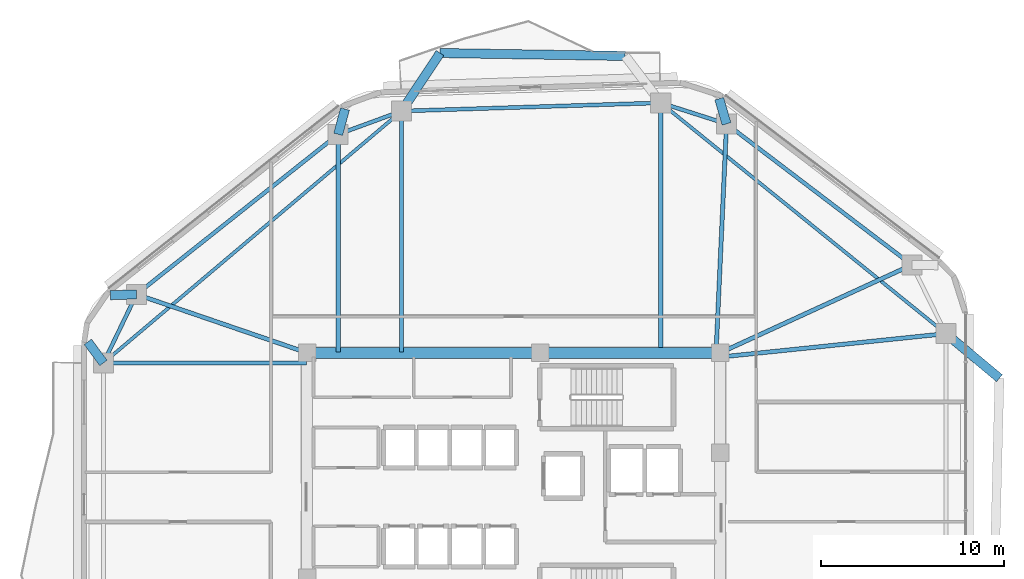
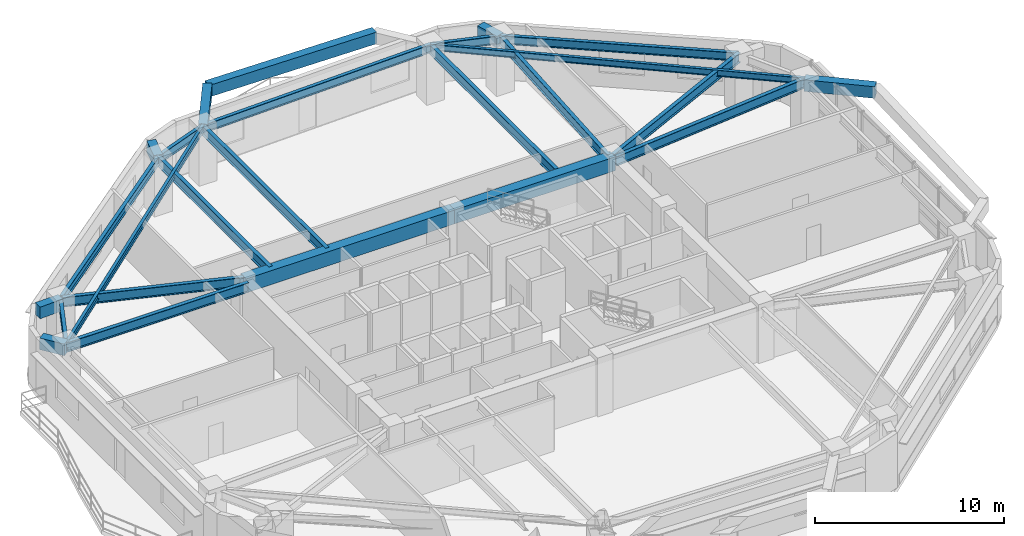
# One storey, part 5 of 13: 25 beams.
"""IFC4 building model written with IfcOpenShell, lengths in metres."""

import ifcopenshell
import ifcopenshell.guid

model = None  # the IFC model being written
_history = None  # IfcOwnerHistory: only IFC2X3 demands one
_inside = {}  # id of a spatial element -> (the spatial element, [elements in it])
_under = {}  # id of a project, library or spatial element -> (it, [spatial elements below it])
_declared = {}  # id of a project -> (the project, [libraries it declares])
_typed = {}  # id of a type object -> (the type object, [elements of that type])
_made_of = {}  # id of a material, layer set ... -> (it, [elements and type objects made of it])


def new_model(schema):
    """Start an empty IFC model of exactly this schema.

    Asked for "IFC4X3", IfcOpenShell would pick the latest addendum, in which some entities
    have other attributes; the version numbers below select the first issue.
    IFC2X3 requires an IfcOwnerHistory on every rooted entity: one is made here for all.
    """
    global model, _history
    if schema == "IFC4X3":
        model = ifcopenshell.file(schema_version=(4, 3, 0, 0))
    else:
        model = ifcopenshell.file(schema=schema)
    _inside.clear()
    _under.clear()
    _declared.clear()
    _typed.clear()
    _made_of.clear()
    _history = None
    if model.schema == "IFC2X3":
        org = make("IfcOrganization", Name="unknown")
        user = make(
            "IfcPersonAndOrganization",
            ThePerson=make("IfcPerson", FamilyName="unknown"),
            TheOrganization=org,
        )
        app = make(
            "IfcApplication",
            ApplicationDeveloper=org,
            Version="unknown",
            ApplicationFullName="unknown",
            ApplicationIdentifier="unknown",
        )
        _history = make(
            "IfcOwnerHistory",
            OwningUser=user,
            OwningApplication=app,
            ChangeAction="ADDED",
            CreationDate=0,
        )
    return model


def make(cls, **values):
    """One entity of the class cls with the attributes given. An attribute that is None is left unset."""
    return model.create_entity(
        cls, **{name: value for name, value in values.items() if value is not None}
    )


def rooted(cls, **values):
    """An entity with a GlobalId (a new one), such as an element, a storey or a relation."""
    return make(cls, GlobalId=ifcopenshell.guid.new(), OwnerHistory=_history, **values)


def si_unit(unit_type, name, prefix=None):
    """IfcSIUnit, for example si_unit("LENGTHUNIT", "METRE", prefix="MILLI")."""
    return make("IfcSIUnit", UnitType=unit_type, Prefix=prefix, Name=name)


def assignment(units):
    """IfcUnitAssignment: the units of a project."""
    return None if units is None else make("IfcUnitAssignment", Units=units)


def point(xyz):
    """IfcCartesianPoint."""
    return None if xyz is None else make("IfcCartesianPoint", Coordinates=xyz)


def direction(xyz):
    """IfcDirection."""
    return None if xyz is None else make("IfcDirection", DirectionRatios=xyz)


def frame(location, z_axis=None, x_axis=None):
    """IfcAxis2Placement3D, a coordinate frame: its origin and axes. An axis left out is left unset."""
    return make(
        "IfcAxis2Placement3D",
        Location=point(location),
        Axis=direction(z_axis),
        RefDirection=direction(x_axis),
    )


def frame_2d(location, x_axis=None):
    """IfcAxis2Placement2D, a coordinate frame in the plane: its origin and x axis."""
    return make(
        "IfcAxis2Placement2D", Location=point(location), RefDirection=direction(x_axis)
    )


def origin():
    """The frame at (0, 0, 0) with its axes left unset."""
    return frame((0.0, 0.0, 0.0))


def origin_2d():
    """The frame at (0, 0) in the plane with its x axis left unset."""
    return frame_2d((0.0, 0.0))


def place(relative_to, where):
    """IfcLocalPlacement: puts the frame where relative to a parent placement (None: the world)."""
    return make(
        "IfcLocalPlacement", PlacementRelTo=relative_to, RelativePlacement=where
    )


def context(
    kind, dimensions, precision=None, world=None, true_north=None, identifier=None
):
    """IfcGeometricRepresentationContext, for example the 3D "Model" context."""
    return make(
        "IfcGeometricRepresentationContext",
        ContextIdentifier=identifier,
        ContextType=kind,
        CoordinateSpaceDimension=dimensions,
        Precision=precision,
        WorldCoordinateSystem=world,
        TrueNorth=true_north,
    )


def subcontext(parent, identifier, kind, view, scale=None):
    """IfcGeometricRepresentationSubContext, for example "Body" below "Model"."""
    return make(
        "IfcGeometricRepresentationSubContext",
        ContextIdentifier=identifier,
        ContextType=kind,
        ParentContext=parent,
        TargetScale=scale,
        TargetView=view,
    )


def project(units=None, contexts=None):
    """IfcProject with its units and contexts."""
    return rooted(
        "IfcProject",
        Name="project",
        RepresentationContexts=contexts,
        UnitsInContext=assignment(units),
    )


def spatial(cls, under=None, at=None, **own):
    """A site, building, storey or space (cls), placed at a placement, below another one or the project."""
    s = rooted(cls, ObjectPlacement=at, **own)
    if under is not None:
        _under.setdefault(under.id(), (under, []))[1].append(s)
    return s


def profile(cls, at=None, kind="AREA", **sizes):
    """A parametric profile (cls). Its sizes go by their IFC names, for example OverallWidth=200.0."""
    return make(cls, ProfileType=kind, Position=at, **sizes)


def rectangle(**sizes):
    """IfcRectangleProfileDef."""
    return profile("IfcRectangleProfileDef", **sizes)


def i_section(**sizes):
    """IfcIShapeProfileDef."""
    return profile("IfcIShapeProfileDef", **sizes)


def extrude(swept, where, along, depth):
    """IfcExtrudedAreaSolid: the profile swept, set in the frame where, extruded along a direction by depth."""
    return make(
        "IfcExtrudedAreaSolid",
        SweptArea=swept,
        Position=where,
        ExtrudedDirection=direction(along),
        Depth=depth,
    )


def shape(context_of_items, identifier, shape_type, items):
    """IfcShapeRepresentation: the items that make up one representation, for example the "Body"."""
    return make(
        "IfcShapeRepresentation",
        ContextOfItems=context_of_items,
        RepresentationIdentifier=identifier,
        RepresentationType=shape_type,
        Items=items,
    )


def material(Name=None, Category=None):
    """IfcMaterial."""
    return make("IfcMaterial", Name=Name, Category=Category)


def material_profile(
    of_material, cross_section, Name=None, Category=None, Priority=None
):
    """IfcMaterialProfile: a cross section and its material."""
    return make(
        "IfcMaterialProfile",
        Name=Name,
        Material=of_material,
        Profile=cross_section,
        Priority=Priority,
        Category=Category,
    )


def profile_set(profiles, Name=None, composite=None):
    """IfcMaterialProfileSet."""
    return make(
        "IfcMaterialProfileSet",
        Name=Name,
        MaterialProfiles=profiles,
        CompositeProfile=composite,
    )


def made_of(thing, what):
    """Note that an element or type object is made of a material, layer set ...; save() writes the relation."""
    if what is not None:
        _made_of.setdefault(what.id(), (what, []))[1].append(thing)
    return thing


def type_object(cls, material=None, **own):
    """A type object (cls), such as IfcWallType, which elements share."""
    return made_of(rooted(cls, **own), material)


def element(
    cls,
    number,
    at=None,
    inside=None,
    cuts=None,
    type_object=None,
    material=None,
    context=None,
    identifier="Body",
    shape_type=None,
    held_by="IfcProductDefinitionShape",
    body=None,
    shapes=None,
    **own,
):
    """One element of the class cls, such as IfcWall. Its Tag is "e" and its number.

    at: its placement. inside: the storey or other place that contains it. cuts: it is an
    opening in that element (IfcRelVoidsElement). A single representation is given by context,
    identifier, shape_type and body (its items); several are given by shapes. held_by: the class
    of the entity that holds the representations. save() writes the other relations.
    """
    e = rooted(cls, Tag="e%d" % number, ObjectPlacement=at, **own)
    if body is not None:
        shapes = [shape(context, identifier, shape_type, body)]
    if shapes is not None:
        e.Representation = make(held_by, Representations=shapes)
    if inside is not None:
        _inside.setdefault(inside.id(), (inside, []))[1].append(e)
    if cuts is not None:
        rooted(
            "IfcRelVoidsElement", RelatingBuildingElement=cuts, RelatedOpeningElement=e
        )
    if type_object is not None:
        _typed.setdefault(type_object.id(), (type_object, []))[1].append(e)
    return made_of(e, material)


def aggregate(whole, parts):
    """IfcRelAggregates: a whole, such as a stair, and the parts it consists of."""
    return rooted("IfcRelAggregates", RelatingObject=whole, RelatedObjects=parts)


def save(model, path):
    """Write the relations noted so far, then the file.

    IfcRelAggregates (storeys below a building ...), IfcRelContainedInSpatialStructure (elements
    in a storey), IfcRelDefinesByType, IfcRelAssociatesMaterial and IfcRelDeclares: one each for
    every whole, place, type object, material and project.
    """
    for whole, parts in _under.values():
        aggregate(whole, parts)
    for where, things in _inside.values():
        rooted(
            "IfcRelContainedInSpatialStructure",
            RelatedElements=things,
            RelatingStructure=where,
        )
    for kind, things in _typed.values():
        rooted("IfcRelDefinesByType", RelatedObjects=things, RelatingType=kind)
    for what, things in _made_of.values():
        rooted("IfcRelAssociatesMaterial", RelatedObjects=things, RelatingMaterial=what)
    for by, libraries in _declared.values():
        rooted("IfcRelDeclares", RelatingContext=by, RelatedDefinitions=libraries)
    model.write(path)


model = new_model("IFC4")

# Units and contexts
model_context = context("Model", 3, precision=1e-05, world=origin(), true_north=direction((0.0, 1.0)))
body_context = subcontext(model_context, "Body", "Model", "MODEL_VIEW")
ifc_project = project(units=[si_unit("LENGTHUNIT", "METRE"), si_unit("AREAUNIT", "SQUARE_METRE"), si_unit("VOLUMEUNIT", "CUBIC_METRE"), si_unit("PLANEANGLEUNIT", "RADIAN"), si_unit("MASSUNIT", "GRAM", prefix="KILO")], contexts=[model_context])

# Site, building, storey
site_placement = place(None, origin())
site = spatial("IfcSite", under=ifc_project, at=site_placement, CompositionType="ELEMENT")
building_placement = place(site_placement, origin())
building = spatial("IfcBuilding", under=site, at=building_placement, Name="Zulverin Broadcast Headquarters", CompositionType="ELEMENT")
storey_placement = place(building_placement, frame((0.0, 0.0, 155.39990234375)))
storey = spatial("IfcBuildingStorey", under=building, at=storey_placement, Name="L39", CompositionType="ELEMENT", Elevation=155.39990234375)

# Beams
ifc_material_1 = material(Name="Concrete C60/75", Category="concrete")
ifc_material_profile_1 = material_profile(ifc_material_1, rectangle(XDim=0.60009765625, YDim=0.89990234375, at=origin_2d()), Name="Concrete C60/75", Category="concrete")
ifc_profile_set_1 = profile_set([ifc_material_profile_1], Name="Concrete C60/75")
beam_type_1 = type_object("IfcBeamType", Name="BM-CB-600x900", PredefinedType="LINTEL", material=ifc_profile_set_1)
beam_1_placement = place(storey_placement, frame((48.27490234375, 33.074951171875, 3.090087890625), z_axis=(-1.0, 0.0, 0.0), x_axis=(0.0, -1.0, 0.0)))
element("IfcBeam", 1, at=beam_1_placement, inside=storey, type_object=beam_type_1, Name="L39 Core Coupling Girder K05-K06", PredefinedType="LINTEL", context=body_context, shape_type="SweptSolid", body=[
    extrude(rectangle(XDim=0.60009765625, YDim=0.89990234375, at=origin_2d()), origin(), (0.0, 0.0, 1.0), 9.824951171875),
])
beam_2_placement = place(storey_placement, frame((38.449951171875, 33.074951171875, 3.090087890625), z_axis=(-1.0, 0.0, 0.0), x_axis=(0.0, -1.0, 0.0)))
element("IfcBeam", 2, at=beam_2_placement, inside=storey, type_object=beam_type_1, Name="L39 Core Coupling Girder K06-K07", PredefinedType="LINTEL", context=body_context, shape_type="SweptSolid", body=[
    extrude(rectangle(XDim=0.60009765625, YDim=0.89990234375, at=origin_2d()), origin(), (0.0, 0.0, 1.0), 12.724853515625),
])
ifc_material_2 = material(Name="Concrete C40/50", Category="concrete")
ifc_material_profile_2 = material_profile(ifc_material_2, rectangle(XDim=0.5, YDim=0.75, at=origin_2d()), Name="Concrete C40/50", Category="concrete")
ifc_profile_set_2 = profile_set([ifc_material_profile_2], Name="Concrete C40/50")
beam_type_2 = type_object("IfcBeamType", Name="BM-RC-500x750", PredefinedType="BEAM", material=ifc_profile_set_2)
for number, where, z_axis, x_axis, name in (
    (3, (48.62158203125, 45.574951171875, 3.1650390625), (-0.28015077605, 0.959956010804, 0.0), (-0.959956010804, -0.28015077605, 0.0), "L40 Plate Overhang Back-Spanned Beam OVR-08"),
    (4, (27.416259765625, 45.00439453125, 3.1650390625), (0.260328526912, 0.965520097189, 0.0), (-0.965520097189, 0.260328526912, 0.0), "L40 Plate Overhang Back-Spanned Beam OVR-11"),
):
    element("IfcBeam", number, at=place(storey_placement, frame(where, z_axis=z_axis, x_axis=x_axis)), inside=storey, type_object=beam_type_2, Name=name, PredefinedType="BEAM", context=body_context, shape_type="SweptSolid", body=[
        extrude(rectangle(XDim=0.5, YDim=0.75, at=origin_2d()), origin(), (0.0, 0.0, 1.0), 1.43017578125),
    ])
for number, where, z_axis, x_axis, name in (
    (5, (16.40869140625, 36.26806640625, 3.1650390625), (-0.999411057508, -0.034315275463, 0.0), (0.034315275463, -0.999411057508, 0.0), "L40 Plate Overhang Back-Spanned Beam OVR-12"),
    (6, (14.60009765625, 32.523193359375, 3.1650390625), (-0.594467864193, 0.804119368279, 0.0), (-0.804119368279, -0.594467864193, 0.0), "L40 Plate Overhang Back-Spanned Beam OVR-13"),
):
    element("IfcBeam", number, at=place(storey_placement, frame(where, z_axis=z_axis, x_axis=x_axis)), inside=storey, type_object=beam_type_2, Name=name, PredefinedType="BEAM", context=body_context, shape_type="SweptSolid", body=[
        extrude(rectangle(XDim=0.5, YDim=0.75, at=origin_2d()), origin(), (0.0, 0.0, 1.0), 1.429931640625),
    ])
for number, where, z_axis, x_axis, name in (
    (7, (60.60009765625, 34.12158203125, 3.1650390625), (0.768400300007, -0.639969514078, 0.0), (0.639969514078, 0.768400300007, 0.0), "L40 Balcony Column-Framed Cantilever BAL_E-2"),
    (8, (30.882080078125, 46.27490234375, 3.1650390625), (0.551998960416, 0.833844798329, 0.0), (-0.833844798329, 0.551998960416, 0.0), "L40 Balcony Column-Framed Cantilever BAL_N-2"),
):
    element("IfcBeam", number, at=place(storey_placement, frame(where, z_axis=z_axis, x_axis=x_axis)), inside=storey, type_object=beam_type_2, Name=name, PredefinedType="BEAM", context=body_context, shape_type="SweptSolid", body=[
        extrude(rectangle(XDim=0.5, YDim=0.75, at=origin_2d()), origin(), (0.0, 0.0, 1.0), 3.800048828125),
    ])
beam_3_placement = place(storey_placement, frame((43.0888671875, 49.283447265625, 3.1650390625), z_axis=(-0.999874527542, 0.015840744079, 0.0), x_axis=(-0.015840744079, -0.999874527542, 0.0)))
element("IfcBeam", 9, at=beam_3_placement, inside=storey, type_object=beam_type_2, Name="L40 Balcony Outer Edge Trimmer Beam BAL_N", PredefinedType="BEAM", context=body_context, shape_type="SweptSolid", body=[
    extrude(rectangle(XDim=0.5, YDim=0.75, at=origin_2d()), origin(), (0.0, 0.0, 1.0), 10.1103515625),
])
ifc_material_3 = material(Name="Structural steel S355JR", Category="steel")
ifc_material_profile_3 = material_profile(ifc_material_3, i_section(OverallWidth=0.179443359375, OverallDepth=0.412841796875, WebThickness=0.009521484375, FlangeThickness=0.01611328125, at=origin_2d()), Name="Structural steel S355JR", Category="steel")
ifc_profile_set_3 = profile_set([ifc_material_profile_3], Name="Structural steel S355JR")
beam_type_3 = type_object("IfcBeamType", Name="BM-UB-406", PredefinedType="JOIST", material=ifc_profile_set_3)
beam_4_placement = place(storey_placement, frame((60.60009765625, 34.12158203125, 3.333740234375), z_axis=(-0.777349017335, 0.629069555175, 0.0), x_axis=(-0.629069555175, -0.777349017335, 0.0)))
element("IfcBeam", 10, at=beam_4_placement, inside=storey, type_object=beam_type_3, Name="L39 Chordal Floor Joist J-02", PredefinedType="JOIST", context=body_context, shape_type="SweptSolid", body=[
    extrude(i_section(OverallWidth=0.179443359375, OverallDepth=0.412841796875, WebThickness=0.009521484375, FlangeThickness=0.01611328125, at=origin_2d()), origin(), (0.0, 0.0, 1.0), 20.032958984375),
])
beam_5_placement = place(storey_placement, frame((30.882080078125, 46.27490234375, 3.333740234375), z_axis=(-0.763972566446, -0.645248725468, 0.0), x_axis=(0.645248725468, -0.763972566446, 0.0)))
element("IfcBeam", 11, at=beam_5_placement, inside=storey, type_object=beam_type_3, Name="L39 Chordal Floor Joist J-03", PredefinedType="JOIST", context=body_context, shape_type="SweptSolid", body=[
    extrude(i_section(OverallWidth=0.179443359375, OverallDepth=0.412841796875, WebThickness=0.009521484375, FlangeThickness=0.01611328125, at=origin_2d()), origin(), (0.0, 0.0, 1.0), 21.312255859375),
])
ifc_material_profile_4 = material_profile(ifc_material_3, i_section(OverallWidth=0.2119140625, OverallDepth=0.54443359375, WebThickness=0.0126953125, FlangeThickness=0.021240234375, at=origin_2d()), Name="Structural steel S355JR", Category="steel")
ifc_profile_set_4 = profile_set([ifc_material_profile_4], Name="Structural steel S355JR")
beam_type_4 = type_object("IfcBeamType", Name="BM-UB-533", PredefinedType="SPANDREL", material=ifc_profile_set_4)
beam_6_placement = place(storey_placement, frame((58.738037109375, 37.877685546875, 3.267822265625), z_axis=(-0.795830102505, 0.60551998146, 0.0), x_axis=(-0.60551998146, -0.795830102505, 0.0)))
element("IfcBeam", 12, at=beam_6_placement, inside=storey, type_object=beam_type_4, Name="L39 Perimeter Spandrel Beam SP-07", PredefinedType="SPANDREL", context=body_context, shape_type="SweptSolid", body=[
    extrude(i_section(OverallWidth=0.2119140625, OverallDepth=0.54443359375, WebThickness=0.0126953125, FlangeThickness=0.021240234375, at=origin_2d()), origin(), (0.0, 0.0, 1.0), 12.7119140625),
])
beam_7_placement = place(storey_placement, frame((48.62158203125, 45.574951171875, 3.267822265625), z_axis=(-0.952531523781, 0.304439971428, 0.0), x_axis=(-0.304439971428, -0.952531523781, 0.0)))
element("IfcBeam", 13, at=beam_7_placement, inside=storey, type_object=beam_type_4, Name="L39 Perimeter Spandrel Beam SP-08", PredefinedType="SPANDREL", context=body_context, shape_type="SweptSolid", body=[
    extrude(i_section(OverallWidth=0.2119140625, OverallDepth=0.54443359375, WebThickness=0.0126953125, FlangeThickness=0.021240234375, at=origin_2d()), origin(), (0.0, 0.0, 1.0), 3.773193359375),
])
beam_8_placement = place(storey_placement, frame((45.027587890625, 46.7236328125, 3.267822265625), z_axis=(-0.999497221833, -0.031706522156, 0.0), x_axis=(0.031706522156, -0.999497221833, 0.0)))
element("IfcBeam", 14, at=beam_8_placement, inside=storey, type_object=beam_type_4, Name="L39 Perimeter Spandrel Beam SP-09", PredefinedType="SPANDREL", context=body_context, shape_type="SweptSolid", body=[
    extrude(i_section(OverallWidth=0.2119140625, OverallDepth=0.54443359375, WebThickness=0.0126953125, FlangeThickness=0.021240234375, at=origin_2d()), origin(), (0.0, 0.0, 1.0), 14.152587890625),
])
beam_9_placement = place(storey_placement, frame((30.882080078125, 46.27490234375, 3.267822265625), z_axis=(-0.938901965426, -0.344184687805, 0.0), x_axis=(0.344184687805, -0.938901965426, 0.0)))
element("IfcBeam", 15, at=beam_9_placement, inside=storey, type_object=beam_type_4, Name="L39 Perimeter Spandrel Beam SP-10", PredefinedType="SPANDREL", context=body_context, shape_type="SweptSolid", body=[
    extrude(i_section(OverallWidth=0.2119140625, OverallDepth=0.54443359375, WebThickness=0.0126953125, FlangeThickness=0.021240234375, at=origin_2d()), origin(), (0.0, 0.0, 1.0), 3.69140625),
])
beam_10_placement = place(storey_placement, frame((27.416259765625, 45.00439453125, 3.267822265625), z_axis=(-0.783283263401, -0.621664965457, 0.0), x_axis=(0.621664965457, -0.783283263401, 0.0)))
element("IfcBeam", 16, at=beam_10_placement, inside=storey, type_object=beam_type_4, Name="L39 Perimeter Spandrel Beam SP-11", PredefinedType="SPANDREL", context=body_context, shape_type="SweptSolid", body=[
    extrude(i_section(OverallWidth=0.2119140625, OverallDepth=0.54443359375, WebThickness=0.0126953125, FlangeThickness=0.021240234375, at=origin_2d()), origin(), (0.0, 0.0, 1.0), 14.05322265625),
])
beam_11_placement = place(storey_placement, frame((16.40869140625, 36.26806640625, 3.267822265625), z_axis=(-0.434890248034, -0.900483465792, 0.0), x_axis=(0.900483465792, -0.434890248034, 0.0)))
element("IfcBeam", 17, at=beam_11_placement, inside=storey, type_object=beam_type_4, Name="L39 Perimeter Spandrel Beam SP-12", PredefinedType="SPANDREL", context=body_context, shape_type="SweptSolid", body=[
    extrude(i_section(OverallWidth=0.2119140625, OverallDepth=0.54443359375, WebThickness=0.0126953125, FlangeThickness=0.021240234375, at=origin_2d()), origin(), (0.0, 0.0, 1.0), 4.15869140625),
])
ifc_material_profile_5 = material_profile(ifc_material_3, i_section(OverallWidth=0.230224609375, OverallDepth=0.6171875, WebThickness=0.01318359375, FlangeThickness=0.022216796875, at=origin_2d()), Name="Structural steel S355JR", Category="steel")
ifc_profile_set_5 = profile_set([ifc_material_profile_5], Name="Structural steel S355JR")
beam_type_5 = type_object("IfcBeamType", Name="BM-UB-610", PredefinedType="BEAM", material=ifc_profile_set_5)
beam_12_placement = place(storey_placement, frame((48.324951171875, 32.85009765625, 3.2314453125), z_axis=(0.994678169641, 0.103030766473, 0.0), x_axis=(-0.103030766473, 0.994678169641, 0.0)))
element("IfcBeam", 18, at=beam_12_placement, inside=storey, type_object=beam_type_5, Name="L39 Radial Primary Floor Beam RB-06", PredefinedType="BEAM", context=body_context, shape_type="SweptSolid", body=[
    extrude(i_section(OverallWidth=0.230224609375, OverallDepth=0.6171875, WebThickness=0.01318359375, FlangeThickness=0.022216796875, at=origin_2d()), origin(), (0.0, 0.0, 1.0), 12.3408203125),
])
beam_13_placement = place(storey_placement, frame((48.27490234375, 33.074951171875, 3.2314453125), z_axis=(0.90883007293, 0.417166511764, 0.0), x_axis=(-0.417166511764, 0.90883007293, 0.0)))
element("IfcBeam", 19, at=beam_13_placement, inside=storey, type_object=beam_type_5, Name="L39 Radial Primary Floor Beam RB-07", PredefinedType="BEAM", context=body_context, shape_type="SweptSolid", body=[
    extrude(i_section(OverallWidth=0.230224609375, OverallDepth=0.6171875, WebThickness=0.01318359375, FlangeThickness=0.022216796875, at=origin_2d()), origin(), (0.0, 0.0, 1.0), 11.5126953125),
])
beam_14_placement = place(storey_placement, frame((48.050048828125, 33.125, 3.2314453125), z_axis=(0.045858166026, 0.998947960911, 0.0), x_axis=(-0.998947960911, 0.045858166026, 0.0)))
element("IfcBeam", 20, at=beam_14_placement, inside=storey, type_object=beam_type_5, Name="L39 Radial Primary Floor Beam RB-08", PredefinedType="BEAM", context=body_context, shape_type="SweptSolid", body=[
    extrude(i_section(OverallWidth=0.230224609375, OverallDepth=0.6171875, WebThickness=0.01318359375, FlangeThickness=0.022216796875, at=origin_2d()), origin(), (0.0, 0.0, 1.0), 12.463134765625),
])
beam_15_placement = place(storey_placement, frame((45.027587890625, 33.125, 3.2314453125), z_axis=(0.0, 1.0, 0.0), x_axis=(-1.0, 0.0, 0.0)))
element("IfcBeam", 21, at=beam_15_placement, inside=storey, type_object=beam_type_5, Name="L39 Radial Primary Floor Beam RB-09", PredefinedType="BEAM", context=body_context, shape_type="SweptSolid", body=[
    extrude(i_section(OverallWidth=0.230224609375, OverallDepth=0.6171875, WebThickness=0.01318359375, FlangeThickness=0.022216796875, at=origin_2d()), origin(), (0.0, 0.0, 1.0), 13.5986328125),
])
beam_16_placement = place(storey_placement, frame((30.882080078125, 33.125, 3.2314453125), z_axis=(0.0, 1.0, 0.0), x_axis=(-1.0, 0.0, 0.0)))
element("IfcBeam", 22, at=beam_16_placement, inside=storey, type_object=beam_type_5, Name="L39 Radial Primary Floor Beam RB-10", PredefinedType="BEAM", context=body_context, shape_type="SweptSolid", body=[
    extrude(i_section(OverallWidth=0.230224609375, OverallDepth=0.6171875, WebThickness=0.01318359375, FlangeThickness=0.022216796875, at=origin_2d()), origin(), (0.0, 0.0, 1.0), 13.14990234375),
])
beam_17_placement = place(storey_placement, frame((27.416259765625, 33.125, 3.2314453125), z_axis=(0.0, 1.0, 0.0), x_axis=(-1.0, 0.0, 0.0)))
element("IfcBeam", 23, at=beam_17_placement, inside=storey, type_object=beam_type_5, Name="L39 Radial Primary Floor Beam RB-11", PredefinedType="BEAM", context=body_context, shape_type="SweptSolid", body=[
    extrude(i_section(OverallWidth=0.230224609375, OverallDepth=0.6171875, WebThickness=0.01318359375, FlangeThickness=0.022216796875, at=origin_2d()), origin(), (0.0, 0.0, 1.0), 11.87939453125),
])
beam_18_placement = place(storey_placement, frame((25.72509765625, 33.074951171875, 3.2314453125), z_axis=(-0.945979621685, 0.324226086793, 0.0), x_axis=(-0.324226086793, -0.945979621685, 0.0)))
element("IfcBeam", 24, at=beam_18_placement, inside=storey, type_object=beam_type_5, Name="L39 Radial Primary Floor Beam RB-12", PredefinedType="BEAM", context=body_context, shape_type="SweptSolid", body=[
    extrude(i_section(OverallWidth=0.230224609375, OverallDepth=0.6171875, WebThickness=0.01318359375, FlangeThickness=0.022216796875, at=origin_2d()), origin(), (0.0, 0.0, 1.0), 9.848388671875),
])
beam_19_placement = place(storey_placement, frame((25.675048828125, 32.523193359375, 3.2314453125), z_axis=(-1.0, 0.0, 0.0), x_axis=(0.0, -1.0, 0.0)))
element("IfcBeam", 25, at=beam_19_placement, inside=storey, type_object=beam_type_5, Name="L39 Radial Primary Floor Beam RB-13", PredefinedType="BEAM", context=body_context, shape_type="SweptSolid", body=[
    extrude(i_section(OverallWidth=0.230224609375, OverallDepth=0.6171875, WebThickness=0.01318359375, FlangeThickness=0.022216796875, at=origin_2d()), origin(), (0.0, 0.0, 1.0), 11.074951171875),
])

save(model, "model.ifc")
